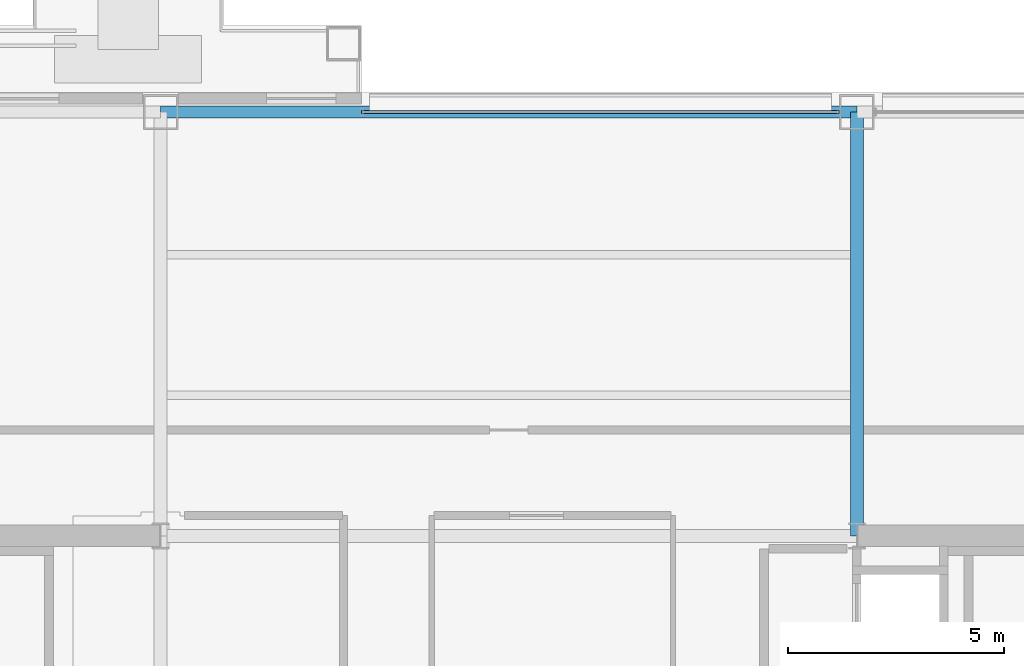
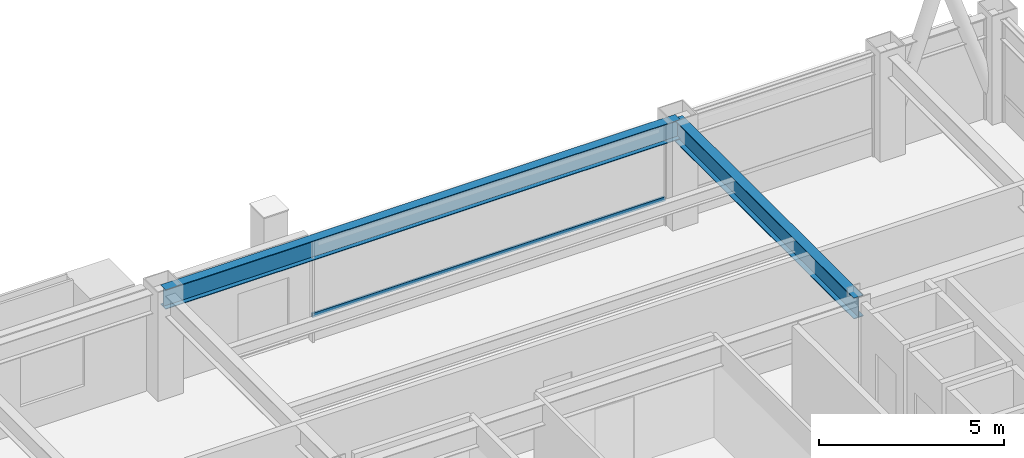
# One storey, part 22 of 35: 2 beams, 1 member, 1 element without a shape of its own.
"""IFC4 building model written with IfcOpenShell, lengths in metres."""

import ifcopenshell
import ifcopenshell.guid

model = None  # the IFC model being written
_history = None  # IfcOwnerHistory: only IFC2X3 demands one
_inside = {}  # id of a spatial element -> (the spatial element, [elements in it])
_under = {}  # id of a project, library or spatial element -> (it, [spatial elements below it])
_declared = {}  # id of a project -> (the project, [libraries it declares])
_typed = {}  # id of a type object -> (the type object, [elements of that type])
_made_of = {}  # id of a material, layer set ... -> (it, [elements and type objects made of it])


def new_model(schema):
    """Start an empty IFC model of exactly this schema.

    Asked for "IFC4X3", IfcOpenShell would pick the latest addendum, in which some entities
    have other attributes; the version numbers below select the first issue.
    IFC2X3 requires an IfcOwnerHistory on every rooted entity: one is made here for all.
    """
    global model, _history
    if schema == "IFC4X3":
        model = ifcopenshell.file(schema_version=(4, 3, 0, 0))
    else:
        model = ifcopenshell.file(schema=schema)
    _inside.clear()
    _under.clear()
    _declared.clear()
    _typed.clear()
    _made_of.clear()
    _history = None
    if model.schema == "IFC2X3":
        org = make("IfcOrganization", Name="unknown")
        user = make(
            "IfcPersonAndOrganization",
            ThePerson=make("IfcPerson", FamilyName="unknown"),
            TheOrganization=org,
        )
        app = make(
            "IfcApplication",
            ApplicationDeveloper=org,
            Version="unknown",
            ApplicationFullName="unknown",
            ApplicationIdentifier="unknown",
        )
        _history = make(
            "IfcOwnerHistory",
            OwningUser=user,
            OwningApplication=app,
            ChangeAction="ADDED",
            CreationDate=0,
        )
    return model


def make(cls, **values):
    """One entity of the class cls with the attributes given. An attribute that is None is left unset."""
    return model.create_entity(
        cls, **{name: value for name, value in values.items() if value is not None}
    )


def rooted(cls, **values):
    """An entity with a GlobalId (a new one), such as an element, a storey or a relation."""
    return make(cls, GlobalId=ifcopenshell.guid.new(), OwnerHistory=_history, **values)


def si_unit(unit_type, name, prefix=None):
    """IfcSIUnit, for example si_unit("LENGTHUNIT", "METRE", prefix="MILLI")."""
    return make("IfcSIUnit", UnitType=unit_type, Prefix=prefix, Name=name)


def assignment(units):
    """IfcUnitAssignment: the units of a project."""
    return None if units is None else make("IfcUnitAssignment", Units=units)


def point(xyz):
    """IfcCartesianPoint."""
    return None if xyz is None else make("IfcCartesianPoint", Coordinates=xyz)


def direction(xyz):
    """IfcDirection."""
    return None if xyz is None else make("IfcDirection", DirectionRatios=xyz)


def frame(location, z_axis=None, x_axis=None):
    """IfcAxis2Placement3D, a coordinate frame: its origin and axes. An axis left out is left unset."""
    return make(
        "IfcAxis2Placement3D",
        Location=point(location),
        Axis=direction(z_axis),
        RefDirection=direction(x_axis),
    )


def frame_2d(location, x_axis=None):
    """IfcAxis2Placement2D, a coordinate frame in the plane: its origin and x axis."""
    return make(
        "IfcAxis2Placement2D", Location=point(location), RefDirection=direction(x_axis)
    )


def origin():
    """The frame at (0, 0, 0) with its axes left unset."""
    return frame((0.0, 0.0, 0.0))


def origin_2d():
    """The frame at (0, 0) in the plane with its x axis left unset."""
    return frame_2d((0.0, 0.0))


def place(relative_to, where):
    """IfcLocalPlacement: puts the frame where relative to a parent placement (None: the world)."""
    return make(
        "IfcLocalPlacement", PlacementRelTo=relative_to, RelativePlacement=where
    )


def context(
    kind, dimensions, precision=None, world=None, true_north=None, identifier=None
):
    """IfcGeometricRepresentationContext, for example the 3D "Model" context."""
    return make(
        "IfcGeometricRepresentationContext",
        ContextIdentifier=identifier,
        ContextType=kind,
        CoordinateSpaceDimension=dimensions,
        Precision=precision,
        WorldCoordinateSystem=world,
        TrueNorth=true_north,
    )


def subcontext(parent, identifier, kind, view, scale=None):
    """IfcGeometricRepresentationSubContext, for example "Body" below "Model"."""
    return make(
        "IfcGeometricRepresentationSubContext",
        ContextIdentifier=identifier,
        ContextType=kind,
        ParentContext=parent,
        TargetScale=scale,
        TargetView=view,
    )


def project(units=None, contexts=None):
    """IfcProject with its units and contexts."""
    return rooted(
        "IfcProject",
        Name="project",
        RepresentationContexts=contexts,
        UnitsInContext=assignment(units),
    )


def spatial(cls, under=None, at=None, **own):
    """A site, building, storey or space (cls), placed at a placement, below another one or the project."""
    s = rooted(cls, ObjectPlacement=at, **own)
    if under is not None:
        _under.setdefault(under.id(), (under, []))[1].append(s)
    return s


def profile(cls, at=None, kind="AREA", **sizes):
    """A parametric profile (cls). Its sizes go by their IFC names, for example OverallWidth=200.0."""
    return make(cls, ProfileType=kind, Position=at, **sizes)


def hollow_rectangle(**sizes):
    """IfcRectangleHollowProfileDef."""
    return profile("IfcRectangleHollowProfileDef", **sizes)


def i_section(**sizes):
    """IfcIShapeProfileDef."""
    return profile("IfcIShapeProfileDef", **sizes)


def extrude(swept, where, along, depth):
    """IfcExtrudedAreaSolid: the profile swept, set in the frame where, extruded along a direction by depth."""
    return make(
        "IfcExtrudedAreaSolid",
        SweptArea=swept,
        Position=where,
        ExtrudedDirection=direction(along),
        Depth=depth,
    )


def shape(context_of_items, identifier, shape_type, items):
    """IfcShapeRepresentation: the items that make up one representation, for example the "Body"."""
    return make(
        "IfcShapeRepresentation",
        ContextOfItems=context_of_items,
        RepresentationIdentifier=identifier,
        RepresentationType=shape_type,
        Items=items,
    )


def material(Name=None, Category=None):
    """IfcMaterial."""
    return make("IfcMaterial", Name=Name, Category=Category)


def layer(
    of_material, thickness, ventilated=None, Name=None, Category=None, Priority=None
):
    """IfcMaterialLayer: one layer of a wall or slab, of a material (None: an air gap)."""
    return make(
        "IfcMaterialLayer",
        Material=of_material,
        LayerThickness=thickness,
        IsVentilated=ventilated,
        Name=Name,
        Category=Category,
        Priority=Priority,
    )


def layer_set(layers, Name=None):
    """IfcMaterialLayerSet."""
    return make("IfcMaterialLayerSet", MaterialLayers=layers, LayerSetName=Name)


def material_profile(
    of_material, cross_section, Name=None, Category=None, Priority=None
):
    """IfcMaterialProfile: a cross section and its material."""
    return make(
        "IfcMaterialProfile",
        Name=Name,
        Material=of_material,
        Profile=cross_section,
        Priority=Priority,
        Category=Category,
    )


def profile_set(profiles, Name=None, composite=None):
    """IfcMaterialProfileSet."""
    return make(
        "IfcMaterialProfileSet",
        Name=Name,
        MaterialProfiles=profiles,
        CompositeProfile=composite,
    )


def made_of(thing, what):
    """Note that an element or type object is made of a material, layer set ...; save() writes the relation."""
    if what is not None:
        _made_of.setdefault(what.id(), (what, []))[1].append(thing)
    return thing


def type_object(cls, material=None, **own):
    """A type object (cls), such as IfcWallType, which elements share."""
    return made_of(rooted(cls, **own), material)


def element(
    cls,
    number,
    at=None,
    inside=None,
    cuts=None,
    type_object=None,
    material=None,
    context=None,
    identifier="Body",
    shape_type=None,
    held_by="IfcProductDefinitionShape",
    body=None,
    shapes=None,
    **own,
):
    """One element of the class cls, such as IfcWall. Its Tag is "e" and its number.

    at: its placement. inside: the storey or other place that contains it. cuts: it is an
    opening in that element (IfcRelVoidsElement). A single representation is given by context,
    identifier, shape_type and body (its items); several are given by shapes. held_by: the class
    of the entity that holds the representations. save() writes the other relations.
    """
    e = rooted(cls, Tag="e%d" % number, ObjectPlacement=at, **own)
    if body is not None:
        shapes = [shape(context, identifier, shape_type, body)]
    if shapes is not None:
        e.Representation = make(held_by, Representations=shapes)
    if inside is not None:
        _inside.setdefault(inside.id(), (inside, []))[1].append(e)
    if cuts is not None:
        rooted(
            "IfcRelVoidsElement", RelatingBuildingElement=cuts, RelatedOpeningElement=e
        )
    if type_object is not None:
        _typed.setdefault(type_object.id(), (type_object, []))[1].append(e)
    return made_of(e, material)


def aggregate(whole, parts):
    """IfcRelAggregates: a whole, such as a stair, and the parts it consists of."""
    return rooted("IfcRelAggregates", RelatingObject=whole, RelatedObjects=parts)


def save(model, path):
    """Write the relations noted so far, then the file.

    IfcRelAggregates (storeys below a building ...), IfcRelContainedInSpatialStructure (elements
    in a storey), IfcRelDefinesByType, IfcRelAssociatesMaterial and IfcRelDeclares: one each for
    every whole, place, type object, material and project.
    """
    for whole, parts in _under.values():
        aggregate(whole, parts)
    for where, things in _inside.values():
        rooted(
            "IfcRelContainedInSpatialStructure",
            RelatedElements=things,
            RelatingStructure=where,
        )
    for kind, things in _typed.values():
        rooted("IfcRelDefinesByType", RelatedObjects=things, RelatingType=kind)
    for what, things in _made_of.values():
        rooted("IfcRelAssociatesMaterial", RelatedObjects=things, RelatingMaterial=what)
    for by, libraries in _declared.values():
        rooted("IfcRelDeclares", RelatingContext=by, RelatedDefinitions=libraries)
    model.write(path)


model = new_model("IFC4")

# Units and contexts
model_context = context("Model", 3, precision=1e-05, world=origin(), true_north=direction((0.0, 1.0)))
body_context = subcontext(model_context, "Body", "Model", "MODEL_VIEW")
ifc_project = project(units=[si_unit("LENGTHUNIT", "METRE"), si_unit("AREAUNIT", "SQUARE_METRE"), si_unit("VOLUMEUNIT", "CUBIC_METRE"), si_unit("PLANEANGLEUNIT", "RADIAN"), si_unit("MASSUNIT", "GRAM", prefix="KILO")], contexts=[model_context])

# Site, building, storey
site_placement = place(None, origin())
site = spatial("IfcSite", under=ifc_project, at=site_placement, CompositionType="ELEMENT")
building_placement = place(site_placement, origin())
building = spatial("IfcBuilding", under=site, at=building_placement, Name="Brelmoor Portico Tower", CompositionType="ELEMENT")
storey_placement = place(building_placement, frame((0.0, 0.0, 131.39990234375)))
storey = spatial("IfcBuildingStorey", under=building, at=storey_placement, Name="L34", CompositionType="ELEMENT", Elevation=131.39990234375)

# Beams
ifc_material_1 = material(Name="Steel Q355B", Category="steel")
ifc_material_profile_1 = material_profile(ifc_material_1, i_section(OverallWidth=0.300048828125, OverallDepth=0.699951171875, WebThickness=0.012939453125, FlangeThickness=0.02392578125, at=origin_2d()), Name="HN 700x300x13x24")
ifc_profile_set_1 = profile_set([ifc_material_profile_1], Name="Steel Q355B")
beam_type_1 = type_object("IfcBeamType", Name="BM-PG-700", PredefinedType="BEAM", material=ifc_profile_set_1)
beam_1_placement = place(storey_placement, frame((8.050048828125, 9.75, 3.050048828125), z_axis=(0.0, 1.0, 0.0), x_axis=(-1.0, 0.0, 0.0)))
element("IfcBeam", 1, at=beam_1_placement, inside=storey, type_object=beam_type_1, Name="L34 Primary Floor Girder PG-09", PredefinedType="BEAM", context=body_context, shape_type="SweptSolid", body=[
    extrude(i_section(OverallWidth=0.300048828125, OverallDepth=0.699951171875, WebThickness=0.012939453125, FlangeThickness=0.02392578125, at=origin_2d()), origin(), (0.0, 0.0, 1.0), 9.800048828125),
])
ifc_material_profile_2 = material_profile(ifc_material_1, i_section(OverallWidth=0.280029296875, OverallDepth=0.64990234375, WebThickness=0.012939453125, FlangeThickness=0.02197265625, at=origin_2d()), Name="HN 650x280x13x22")
ifc_profile_set_2 = profile_set([ifc_material_profile_2], Name="Steel Q355B")
beam_type_2 = type_object("IfcBeamType", Name="BM-SP-650", PredefinedType="SPANDREL", material=ifc_profile_set_2)
beam_2_placement = place(storey_placement, frame((-8.050048828125, 19.550048828125, 3.0751953125), z_axis=(1.0, 0.0, 0.0), x_axis=(0.0, 1.0, 0.0)))
element("IfcBeam", 2, at=beam_2_placement, inside=storey, type_object=beam_type_2, Name="L34 Perimeter Spandrel Beam SP-12", PredefinedType="SPANDREL", context=body_context, shape_type="SweptSolid", body=[
    extrude(i_section(OverallWidth=0.280029296875, OverallDepth=0.64990234375, WebThickness=0.012939453125, FlangeThickness=0.02197265625, at=origin_2d()), origin(), (0.0, 0.0, 1.0), 16.10009765625),
])

# Curtain wall, member
ifc_material_2 = material(Name="Anodised Aluminium Alloy 6063-T6", Category="aluminium")
ifc_layer = layer(ifc_material_2, 0.179931640625)
ifc_layer_set = layer_set([ifc_layer], Name="Anodised Aluminium Alloy 6063-T6")
curtain_wall_type = type_object("IfcCurtainWallType", Name="CW-TOWER-Z2", PredefinedType="NOTDEFINED", material=ifc_layer_set)
curtain_wall_placement = place(storey_placement, origin())
curtain_wall = element("IfcCurtainWall", 3, at=curtain_wall_placement, inside=storey, type_object=curtain_wall_type, Name="L34 Curtain Wall CW-L34-2R-1", PredefinedType="NOTDEFINED")
ifc_material_profile_3 = material_profile(ifc_material_2, hollow_rectangle(XDim=0.06494140625, YDim=0.139892578125, WallThickness=0.00390625, at=origin_2d()), Name="ALU TRANSOM 65x140")
ifc_profile_set_3 = profile_set([ifc_material_profile_3], Name="Anodised Aluminium Alloy 6063-T6")
member_type = type_object("IfcMemberType", Name="MB-CW-TRAN-140", PredefinedType="USERDEFINED", material=ifc_profile_set_3)
member_placement = place(storey_placement, frame((-3.39990234375, 19.550048828125, 0.85009765625), z_axis=(1.0, 0.0, 0.0), x_axis=(0.0, 1.0, 0.0)))
member = element("IfcMember", 4, at=member_placement, type_object=member_type, Name="CW-L34-2R-1 Transom 1-00", ObjectType="TRANSOM", PredefinedType="USERDEFINED", context=body_context, shape_type="SweptSolid", body=[
    extrude(hollow_rectangle(XDim=0.06494140625, YDim=0.139892578125, WallThickness=0.00390625, at=origin_2d()), origin(), (0.0, 0.0, 1.0), 11.039794921875),
])
aggregate(curtain_wall, [member])

save(model, "model.ifc")
